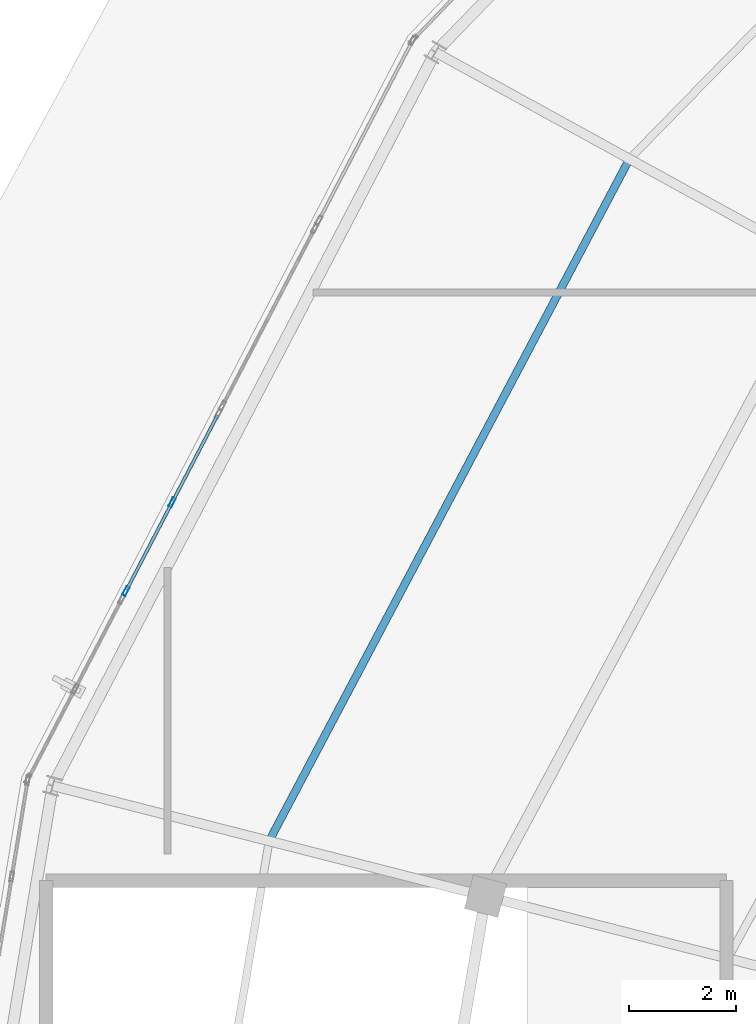
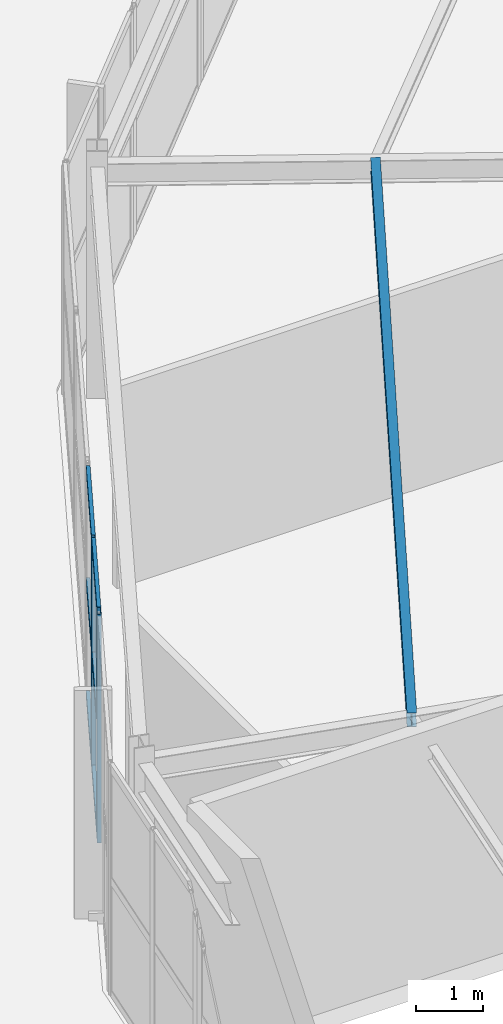
# One storey, part 54 of 126: 8 members, 1 beam, 1 element without a shape of its own.
"""IFC4 building model written with IfcOpenShell, lengths in metres."""

from ifc_helpers import new_model, si_unit, direction, frame, origin, origin_2d, place, context, subcontext, project, spatial, hollow_rectangle, i_section, extrude, material, layer, layer_set, material_profile, profile_set, type_object, element, aggregate, save


model = new_model("IFC4")

# Units and contexts
model_context = context("Model", 3, precision=1e-05, world=origin(), true_north=direction((0.0, 1.0)))
body_context = subcontext(model_context, "Body", "Model", "MODEL_VIEW")
ifc_project = project(units=[si_unit("LENGTHUNIT", "METRE"), si_unit("AREAUNIT", "SQUARE_METRE"), si_unit("VOLUMEUNIT", "CUBIC_METRE"), si_unit("PLANEANGLEUNIT", "RADIAN"), si_unit("MASSUNIT", "GRAM", prefix="KILO")], contexts=[model_context])

# Site, building, storey
site_placement = place(None, origin())
site = spatial("IfcSite", under=ifc_project, at=site_placement, CompositionType="ELEMENT")
building_placement = place(site_placement, origin())
building = spatial("IfcBuilding", under=site, at=building_placement, Name="Kalgoora Escarpment Arena", CompositionType="ELEMENT")
storey_placement = place(building_placement, frame((0.0, 0.0, 18.89990234375)))
storey = spatial("IfcBuildingStorey", under=building, at=storey_placement, Name="L04", CompositionType="ELEMENT", Elevation=18.89990234375)

# Beam
ifc_material_1 = material(Name="Structural steel AS/NZS 3679 (300 MPa)", Category="steel")
ifc_material_profile_1 = material_profile(ifc_material_1, i_section(OverallWidth=0.14599609375, OverallDepth=0.256103515625, WebThickness=0.00634765625, FlangeThickness=0.010986328125, at=origin_2d()))
ifc_profile_set_1 = profile_set([ifc_material_profile_1], Name="Structural steel AS/NZS 3679 (300 MPa)")
beam_type = type_object("IfcBeamType", Name="BM-BEAM-250UB37.3", PredefinedType="BEAM", material=ifc_profile_set_1)
beam_placement = place(storey_placement, frame((33.856689453125, 90.5, 4.092041015625), z_axis=(-0.467123275038, -0.884192199648, 0.0), x_axis=(0.884192199648, -0.467123275038, 0.0)))
element("IfcBeam", 1, at=beam_placement, inside=storey, type_object=beam_type, Name="L04 Concourse secondary ring beam 250UB37.3", PredefinedType="BEAM", context=body_context, shape_type="SweptSolid", body=[
    extrude(i_section(OverallWidth=0.14599609375, OverallDepth=0.256103515625, WebThickness=0.00634765625, FlangeThickness=0.010986328125, at=origin_2d()), origin(), (0.0, 0.0, 1.0), 14.45703125),
])

# Curtain wall, members
ifc_material_2 = material(Name=" Champagne anodised aluminium & double-glazed low-E", Category="aluminium")
ifc_layer = layer(ifc_material_2, 0.166015625)
ifc_layer_set = layer_set([ifc_layer], Name="CW-UNIT-04")
curtain_wall_type = type_object("IfcCurtainWallType", Name="CW-UNIT-04", PredefinedType="NOTDEFINED", material=ifc_layer_set)
curtain_wall_placement = place(storey_placement, origin())
curtain_wall = element("IfcCurtainWall", 2, at=curtain_wall_placement, inside=storey, type_object=curtain_wall_type, Name="L04 unitised facade curtain wall 143", PredefinedType="NOTDEFINED")
ifc_material_3 = material(Name="Anodised aluminium 6063-T6", Category="aluminium")
ifc_material_profile_2 = material_profile(ifc_material_3, hollow_rectangle(XDim=0.06494140625, YDim=0.179931640625, WallThickness=0.00390625, at=origin_2d()))
ifc_profile_set_2 = profile_set([ifc_material_profile_2], Name="Anodised aluminium 6063-T6")
member_type_1 = type_object("IfcMemberType", Name="MEM-CW-MULL-180", PredefinedType="MULLION", material=ifc_profile_set_2)
member_1_placement = place(storey_placement, frame((24.419677734375, 82.398681640625, 0.02001953125), z_axis=(0.0, 0.0, 1.0), x_axis=(-0.886984539651, 0.46179911912, 0.0)))
member_1 = element("IfcMember", 3, at=member_1_placement, type_object=member_type_1, Name="CW-04 mullion 1", PredefinedType="MULLION", context=body_context, shape_type="SweptSolid", body=[
    extrude(hollow_rectangle(XDim=0.06494140625, YDim=0.179931640625, WallThickness=0.00390625, at=origin_2d()), origin(), (0.0, 0.0, 1.0), 4.16015625),
])
member_2_placement = place(storey_placement, frame((25.28564453125, 84.06201171875, 0.02001953125), z_axis=(0.0, 0.0, 1.0), x_axis=(-0.886984539651, 0.46179911912, 0.0)))
member_2 = element("IfcMember", 4, at=member_2_placement, type_object=member_type_1, Name="CW-04 mullion 2", PredefinedType="MULLION", context=body_context, shape_type="SweptSolid", body=[
    extrude(hollow_rectangle(XDim=0.06494140625, YDim=0.179931640625, WallThickness=0.00390625, at=origin_2d()), origin(), (0.0, 0.0, 1.0), 4.16015625),
])
ifc_material_4 = material(Name="Anodised aluminium 6063-T6", Category="aluminium")
ifc_material_profile_3 = material_profile(ifc_material_4, hollow_rectangle(XDim=0.06005859375, YDim=0.14990234375, WallThickness=0.00341796875, at=origin_2d()))
ifc_profile_set_3 = profile_set([ifc_material_profile_3], Name="Anodised aluminium 6063-T6")
member_type_2 = type_object("IfcMemberType", Name="MEM-CW-TRAN-150", PredefinedType="USERDEFINED", material=ifc_profile_set_3)
member_3_placement = place(storey_placement, frame((24.434814453125, 82.427490234375, 0.050048828125), z_axis=(0.461773072115, 0.886998100263, 0.0), x_axis=(-0.886998100263, 0.461773072115, 0.0)))
member_3 = element("IfcMember", 5, at=member_3_placement, type_object=member_type_2, Name="CW-04 transom 1.1", ObjectType="TRANSOM", PredefinedType="USERDEFINED", context=body_context, shape_type="SweptSolid", body=[
    extrude(hollow_rectangle(XDim=0.06005859375, YDim=0.14990234375, WallThickness=0.00341796875, at=origin_2d()), origin(), (0.0, 0.0, 1.0), 1.810302734375),
])
member_4_placement = place(storey_placement, frame((24.434814453125, 82.427490234375, 2.110107421875), z_axis=(0.461773072115, 0.886998100263, 0.0), x_axis=(-0.886998100263, 0.461773072115, 0.0)))
member_4 = element("IfcMember", 6, at=member_4_placement, type_object=member_type_2, Name="CW-04 transom 1.2", ObjectType="TRANSOM", PredefinedType="USERDEFINED", context=body_context, shape_type="SweptSolid", body=[
    extrude(hollow_rectangle(XDim=0.06005859375, YDim=0.14990234375, WallThickness=0.00341796875, at=origin_2d()), origin(), (0.0, 0.0, 1.0), 1.810302734375),
])
member_5_placement = place(storey_placement, frame((24.434814453125, 82.427490234375, 4.150146484375), z_axis=(0.461773072115, 0.886998100263, 0.0), x_axis=(-0.886998100263, 0.461773072115, 0.0)))
member_5 = element("IfcMember", 7, at=member_5_placement, type_object=member_type_2, Name="CW-04 transom 1.3", ObjectType="TRANSOM", PredefinedType="USERDEFINED", context=body_context, shape_type="SweptSolid", body=[
    extrude(hollow_rectangle(XDim=0.06005859375, YDim=0.14990234375, WallThickness=0.00341796875, at=origin_2d()), origin(), (0.0, 0.0, 1.0), 1.810302734375),
])
member_6_placement = place(storey_placement, frame((25.30078125, 84.0908203125, 0.050048828125), z_axis=(0.461773072115, 0.886998100263, 0.0), x_axis=(-0.886998100263, 0.461773072115, 0.0)))
member_6 = element("IfcMember", 8, at=member_6_placement, type_object=member_type_2, Name="CW-04 transom 2.1", ObjectType="TRANSOM", PredefinedType="USERDEFINED", context=body_context, shape_type="SweptSolid", body=[
    extrude(hollow_rectangle(XDim=0.06005859375, YDim=0.14990234375, WallThickness=0.00341796875, at=origin_2d()), origin(), (0.0, 0.0, 1.0), 1.810302734375),
])
member_7_placement = place(storey_placement, frame((25.30078125, 84.0908203125, 2.110107421875), z_axis=(0.461773072115, 0.886998100263, 0.0), x_axis=(-0.886998100263, 0.461773072115, 0.0)))
member_7 = element("IfcMember", 9, at=member_7_placement, type_object=member_type_2, Name="CW-04 transom 2.2", ObjectType="TRANSOM", PredefinedType="USERDEFINED", context=body_context, shape_type="SweptSolid", body=[
    extrude(hollow_rectangle(XDim=0.06005859375, YDim=0.14990234375, WallThickness=0.00341796875, at=origin_2d()), origin(), (0.0, 0.0, 1.0), 1.810302734375),
])
member_8_placement = place(storey_placement, frame((25.30078125, 84.0908203125, 4.150146484375), z_axis=(0.461773072115, 0.886998100263, 0.0), x_axis=(-0.886998100263, 0.461773072115, 0.0)))
member_8 = element("IfcMember", 10, at=member_8_placement, type_object=member_type_2, Name="CW-04 transom 2.3", ObjectType="TRANSOM", PredefinedType="USERDEFINED", context=body_context, shape_type="SweptSolid", body=[
    extrude(hollow_rectangle(XDim=0.06005859375, YDim=0.14990234375, WallThickness=0.00341796875, at=origin_2d()), origin(), (0.0, 0.0, 1.0), 1.810302734375),
])
aggregate(curtain_wall, [member_1, member_2, member_3, member_4, member_5, member_6, member_7, member_8])

save(model, "model.ifc")
